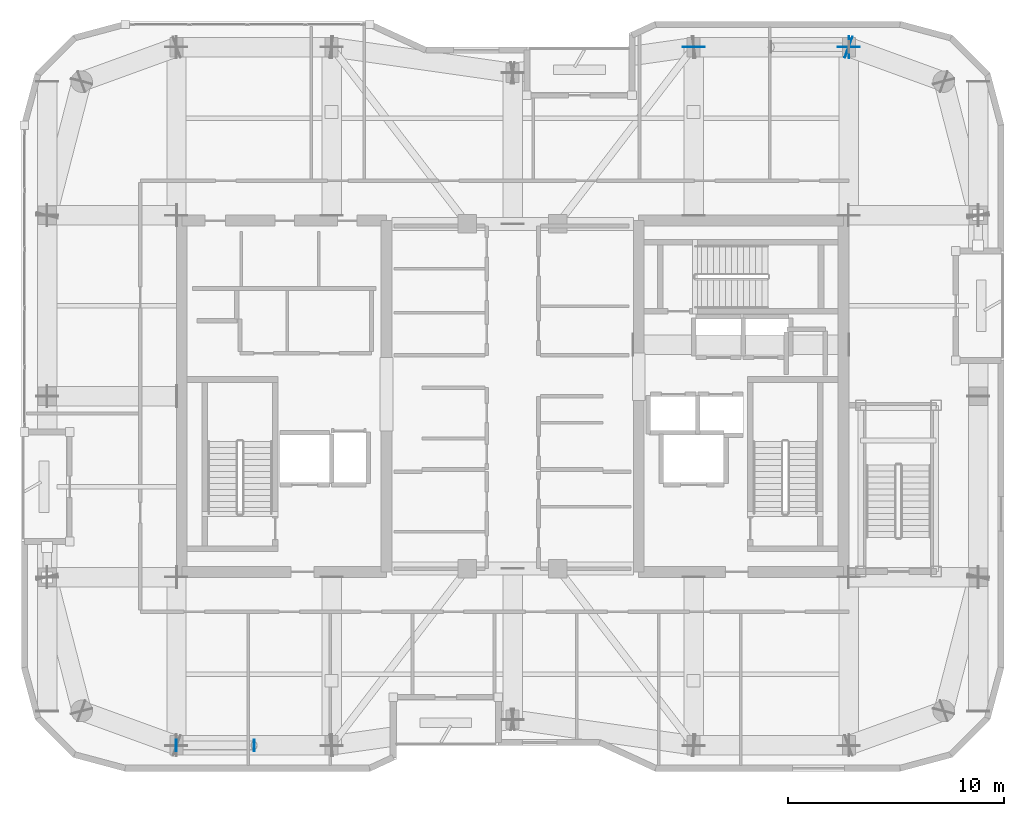
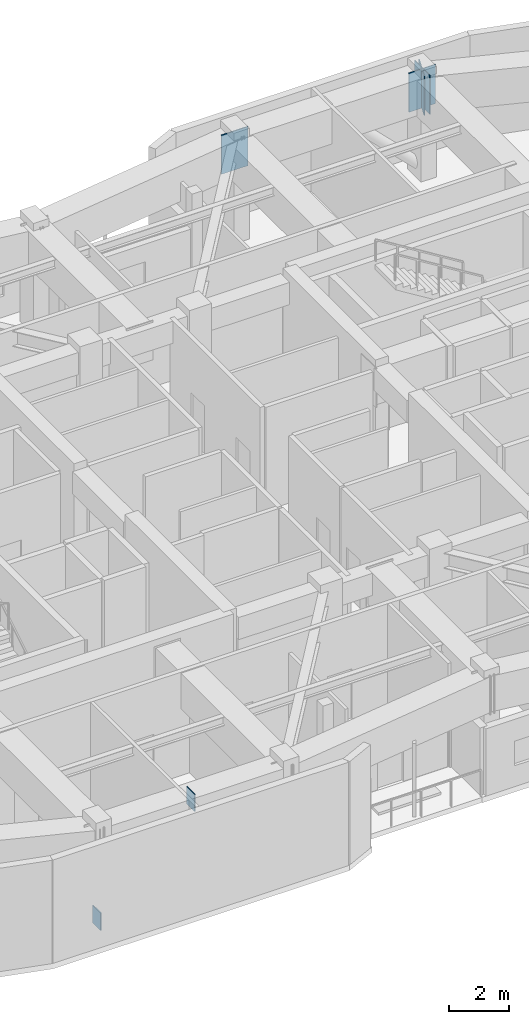
# One storey, part 8 of 17: 6 plates.
"""IFC4 building model written with IfcOpenShell, lengths in metres."""

from ifc_helpers import new_model, si_unit, direction, frame, origin, origin_2d, place, context, subcontext, project, spatial, rectangle, extrude, material, layer, layer_set, type_object, element, save


model = new_model("IFC4")

# Units and contexts
model_context = context("Model", 3, precision=1e-05, world=origin(), true_north=direction((0.0, 1.0)))
body_context = subcontext(model_context, "Body", "Model", "MODEL_VIEW")
ifc_project = project(units=[si_unit("LENGTHUNIT", "METRE"), si_unit("AREAUNIT", "SQUARE_METRE"), si_unit("VOLUMEUNIT", "CUBIC_METRE"), si_unit("PLANEANGLEUNIT", "RADIAN"), si_unit("MASSUNIT", "GRAM", prefix="KILO")], contexts=[model_context])

# Site, building, storey
site_placement = place(None, origin())
site = spatial("IfcSite", under=ifc_project, at=site_placement, CompositionType="ELEMENT")
building_placement = place(site_placement, origin())
building = spatial("IfcBuilding", under=site, at=building_placement, Name="Kiyonajd Concourse Tower", CompositionType="ELEMENT")
storey_placement = place(building_placement, frame((0.0, 0.0, 350.39990234375)))
storey = spatial("IfcBuildingStorey", under=building, at=storey_placement, Name="L88", CompositionType="ELEMENT", Elevation=350.39990234375)

# Plates
ifc_material = material(Name="Steel ASTM A572 Grade 50", Category="steel")
ifc_layer_1 = layer(ifc_material, 0.028076171875)
ifc_layer_set_1 = layer_set([ifc_layer_1], Name="Steel ASTM A572 Grade 50")
plate_type_1 = type_object("IfcPlateType", Name="PL-CAP-450", PredefinedType="USERDEFINED", material=ifc_layer_set_1)
for number, where, z_axis, x_axis, name in (
    (1, (32.39208984375, 19.800048828125, -0.0625), (0.0, 0.0, 1.0), (-1.0, 0.0, 0.0), "L88 Hollow Brace End Cap Plate PBS"),
    (2, (36.0078125, 19.800048828125, 3.5029296875), (0.0, 0.0, 1.0), (1.0, 0.0, 0.0), "L88 Hollow Brace Top Cap Plate PBS"),
):
    element("IfcPlate", number, at=place(storey_placement, frame(where, z_axis=z_axis, x_axis=x_axis)), inside=storey, type_object=plate_type_1, Name=name, ObjectType="CAP PLATE", PredefinedType="USERDEFINED", context=body_context, shape_type="SweptSolid", body=[
        extrude(rectangle(XDim=0.035888671875, YDim=0.52587890625, at=origin_2d()), origin(), (0.0, 0.0, 1.0), 0.7099609375),
    ])
ifc_layer_2 = layer(ifc_material, 0.031982421875)
ifc_layer_set_2 = layer_set([ifc_layer_2], Name="Steel ASTM A572 Grade 50")
plate_type_2 = type_object("IfcPlateType", Name="PL-CAP-540", PredefinedType="USERDEFINED", material=ifc_layer_set_2)
for number, where, z_axis, x_axis, name in (
    (3, (63.589599609375, 52.203857421875, 2.68017578125), (0.0, 0.0, 1.0), (-0.939811951086, 0.341692107891, 0.0), "L88 Welded Box Girder End Cap"),
    (4, (63.611083984375, 52.199951171875, 2.68017578125), (0.0, 0.0, 1.0), (1.0, 0.0, 0.0), "L88 Welded Box Girder End Cap"),
    (5, (56.39990234375, 52.2109375, 2.64013671875), (0.0, 0.0, 1.0), (0.0, 1.0, 0.0), "L88 Welded Box Girder End Cap"),
    (6, (63.60009765625, 52.2109375, 2.64013671875), (0.0, 0.0, 1.0), (0.0, 1.0, 0.0), "L88 Welded Box Girder End Cap"),
):
    element("IfcPlate", number, at=place(storey_placement, frame(where, z_axis=z_axis, x_axis=x_axis)), inside=storey, type_object=plate_type_2, Name=name, ObjectType="CAP PLATE", PredefinedType="USERDEFINED", context=body_context, shape_type="SweptSolid", body=[
        extrude(rectangle(XDim=0.035888671875, YDim=1.02001953125, at=origin_2d()), origin(), (0.0, 0.0, 1.0), 1.590087890625),
    ])

save(model, "model.ifc")
